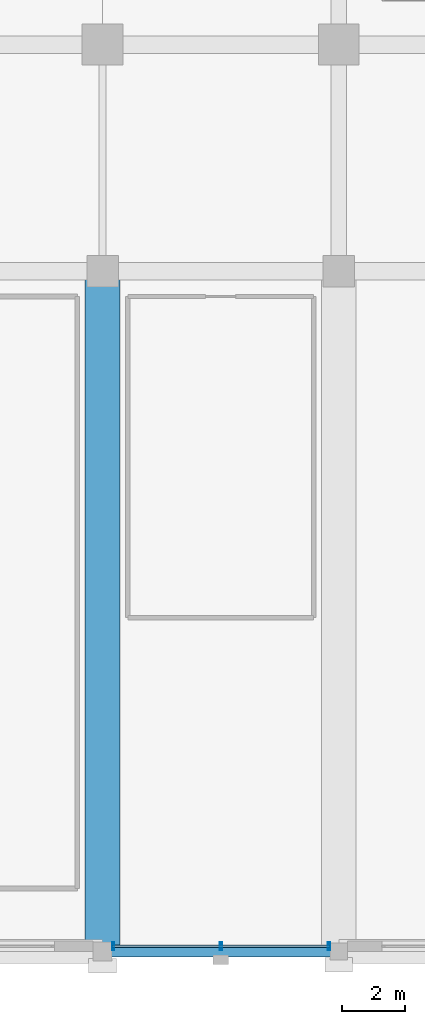
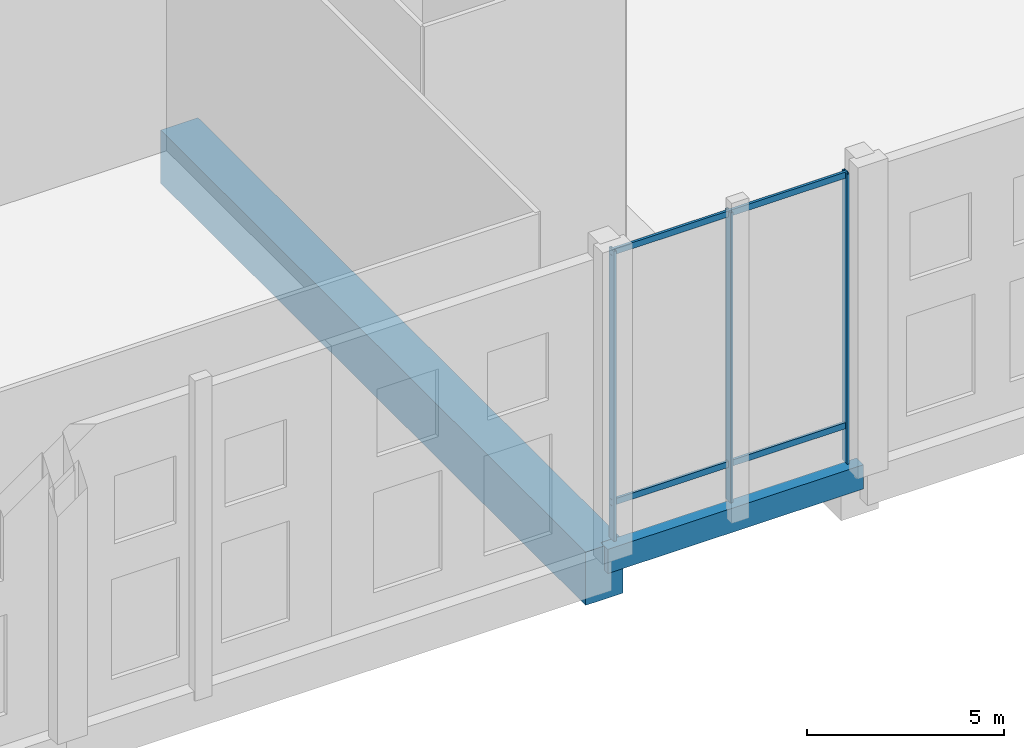
# One storey, part 26 of 80: 5 members, 2 beams, 1 element without a shape of its own.
"""IFC4 building model written with IfcOpenShell, lengths in metres."""

from ifc_helpers import new_model, si_unit, direction, frame, origin, origin_2d, place, context, subcontext, project, spatial, rectangle, hollow_rectangle, extrude, material, material_profile, profile_set, type_object, element, aggregate, save


model = new_model("IFC4")

# Units and contexts
model_context = context("Model", 3, precision=1e-05, world=origin(), true_north=direction((0.0, 1.0)))
body_context = subcontext(model_context, "Body", "Model", "MODEL_VIEW")
ifc_project = project(units=[si_unit("LENGTHUNIT", "METRE"), si_unit("AREAUNIT", "SQUARE_METRE"), si_unit("VOLUMEUNIT", "CUBIC_METRE"), si_unit("PLANEANGLEUNIT", "RADIAN"), si_unit("MASSUNIT", "GRAM", prefix="KILO")], contexts=[model_context])

# Site, building, storey
site_placement = place(None, origin())
site = spatial("IfcSite", under=ifc_project, at=site_placement, CompositionType="ELEMENT")
building_placement = place(site_placement, origin())
building = spatial("IfcBuilding", under=site, at=building_placement, Name="Akrevak Sports Hall", CompositionType="ELEMENT")
storey_placement = place(building_placement, frame((0.0, 0.0, 14.0)))
storey = spatial("IfcBuildingStorey", under=building, at=storey_placement, Name="L03", CompositionType="ELEMENT", Elevation=14.0)

# Curtain wall, members
ifc_material_1 = material(Name="Anodized Bronze Aluminium & Low-E Glass", Category="aluminium")
curtain_wall_type = type_object("IfcCurtainWallType", Name="ARC-CW-POD-64x94", PredefinedType="NOTDEFINED", material=ifc_material_1)
curtain_wall_placement = place(storey_placement, origin())
curtain_wall = element("IfcCurtainWall", 1, at=curtain_wall_placement, inside=storey, type_object=curtain_wall_type, Name="Curtain Wall CW-L03-S13", PredefinedType="NOTDEFINED")
ifc_material_2 = material(Name="Anodized Bronze Aluminium", Category="aluminium")
ifc_material_profile_1 = material_profile(ifc_material_2, hollow_rectangle(XDim=0.074951171875, YDim=0.260009765625, WallThickness=0.0048828125, at=origin_2d()), Name="CWM 75x260", Category="aluminium")
ifc_profile_set_1 = profile_set([ifc_material_profile_1], Name="Anodized Bronze Aluminium")
member_type_1 = type_object("IfcMemberType", Name="ARC-CWM-80x180", PredefinedType="MULLION", material=ifc_profile_set_1)
member_1_placement = place(storey_placement, frame((108.340087890625, 0.169921875, 0.0), z_axis=(0.0, 0.0, 1.0), x_axis=(1.0, 0.0, 0.0)))
member_1 = element("IfcMember", 2, at=member_1_placement, type_object=member_type_1, Name="Curtain Wall Mullion CW-L03-S13-M1", PredefinedType="MULLION", context=body_context, shape_type="SweptSolid", body=[
    extrude(hollow_rectangle(XDim=0.074951171875, YDim=0.260009765625, WallThickness=0.0048828125, at=origin_2d()), origin(), (0.0, 0.0, 1.0), 9.0),
])
member_2_placement = place(storey_placement, frame((111.762451171875, 0.169921875, 0.0), z_axis=(0.0, 0.0, 1.0), x_axis=(1.0, 0.0, 0.0)))
member_2 = element("IfcMember", 3, at=member_2_placement, type_object=member_type_1, Name="Curtain Wall Mullion CW-L03-S13-M2", PredefinedType="MULLION", context=body_context, shape_type="SweptSolid", body=[
    extrude(hollow_rectangle(XDim=0.074951171875, YDim=0.260009765625, WallThickness=0.0048828125, at=origin_2d()), origin(), (0.0, 0.0, 1.0), 9.0),
])
member_3_placement = place(storey_placement, frame((115.18505859375, 0.169921875, 0.0), z_axis=(0.0, 0.0, 1.0), x_axis=(1.0, 0.0, 0.0)))
member_3 = element("IfcMember", 4, at=member_3_placement, type_object=member_type_1, Name="Curtain Wall Mullion CW-L03-S13-M3", PredefinedType="MULLION", context=body_context, shape_type="SweptSolid", body=[
    extrude(hollow_rectangle(XDim=0.074951171875, YDim=0.260009765625, WallThickness=0.0048828125, at=origin_2d()), origin(), (0.0, 0.0, 1.0), 9.0),
])
ifc_material_profile_2 = material_profile(ifc_material_2, hollow_rectangle(XDim=0.074951171875, YDim=0.18994140625, WallThickness=0.00439453125, at=origin_2d()), Name="CWT 75x190", Category="aluminium")
ifc_profile_set_2 = profile_set([ifc_material_profile_2], Name="Anodized Bronze Aluminium")
member_type_2 = type_object("IfcMemberType", Name="ARC-CWT-80x150", PredefinedType="USERDEFINED", material=ifc_profile_set_2)
member_4_placement = place(storey_placement, frame((108.300048828125, 0.169921875, 1.14990234375), z_axis=(1.0, 0.0, 0.0), x_axis=(0.0, 1.0, 0.0)))
member_4 = element("IfcMember", 5, at=member_4_placement, type_object=member_type_2, Name="Curtain Wall Transom CW-L03-S13-T1", ObjectType="TRANSOM", PredefinedType="USERDEFINED", context=body_context, shape_type="SweptSolid", body=[
    extrude(hollow_rectangle(XDim=0.074951171875, YDim=0.18994140625, WallThickness=0.00439453125, at=origin_2d()), origin(), (0.0, 0.0, 1.0), 6.925048828125),
])
member_5_placement = place(storey_placement, frame((108.300048828125, 0.169921875, 8.919921875), z_axis=(1.0, 0.0, 0.0), x_axis=(0.0, 1.0, 0.0)))
member_5 = element("IfcMember", 6, at=member_5_placement, type_object=member_type_2, Name="Curtain Wall Transom CW-L03-S13-T2", ObjectType="TRANSOM", PredefinedType="USERDEFINED", context=body_context, shape_type="SweptSolid", body=[
    extrude(hollow_rectangle(XDim=0.074951171875, YDim=0.18994140625, WallThickness=0.00439453125, at=origin_2d()), origin(), (0.0, 0.0, 1.0), 6.925048828125),
])
aggregate(curtain_wall, [member_1, member_2, member_3, member_4, member_5])

# Beams
ifc_material_3 = material(Name="Concrete C50/60", Category="concrete")
ifc_material_profile_3 = material_profile(ifc_material_3, rectangle(XDim=1.10009765625, YDim=1.64990234375, at=origin_2d()), Name="BM 1100x1650", Category="concrete")
ifc_profile_set_3 = profile_set([ifc_material_profile_3], Name="Concrete C50/60")
beam_type_1 = type_object("IfcBeamType", Name="STR-BM-LG1100x1650", PredefinedType="BEAM", material=ifc_profile_set_3)
beam_1_placement = place(storey_placement, frame((108.0, 0.0, -0.824951171875), z_axis=(0.0, 1.0, 0.0), x_axis=(-1.0, 0.0, 0.0)))
element("IfcBeam", 7, at=beam_1_placement, inside=storey, type_object=beam_type_1, Name="Girder 15/A-D (L03)", PredefinedType="BEAM", context=body_context, shape_type="SweptSolid", body=[
    extrude(rectangle(XDim=1.10009765625, YDim=1.64990234375, at=origin_2d()), origin(), (0.0, 0.0, 1.0), 21.60009765625),
])
ifc_material_4 = material(Name="Concrete C40/50", Category="concrete")
ifc_material_profile_4 = material_profile(ifc_material_4, rectangle(XDim=0.35009765625, YDim=0.75, at=origin_2d()), Name="SPD 350x750", Category="concrete")
ifc_profile_set_4 = profile_set([ifc_material_profile_4], Name="Concrete C40/50")
beam_type_2 = type_object("IfcBeamType", Name="STR-SPD-RC350x750", PredefinedType="SPANDREL", material=ifc_profile_set_4)
beam_2_placement = place(storey_placement, frame((108.0, 0.0, -0.375), z_axis=(1.0, 0.0, 0.0), x_axis=(0.0, 1.0, 0.0)))
element("IfcBeam", 8, at=beam_2_placement, inside=storey, type_object=beam_type_2, Name="Girder A/15-16 (L03)", PredefinedType="SPANDREL", context=body_context, shape_type="SweptSolid", body=[
    extrude(rectangle(XDim=0.35009765625, YDim=0.75, at=origin_2d()), origin(), (0.0, 0.0, 1.0), 7.5),
])

save(model, "model.ifc")
